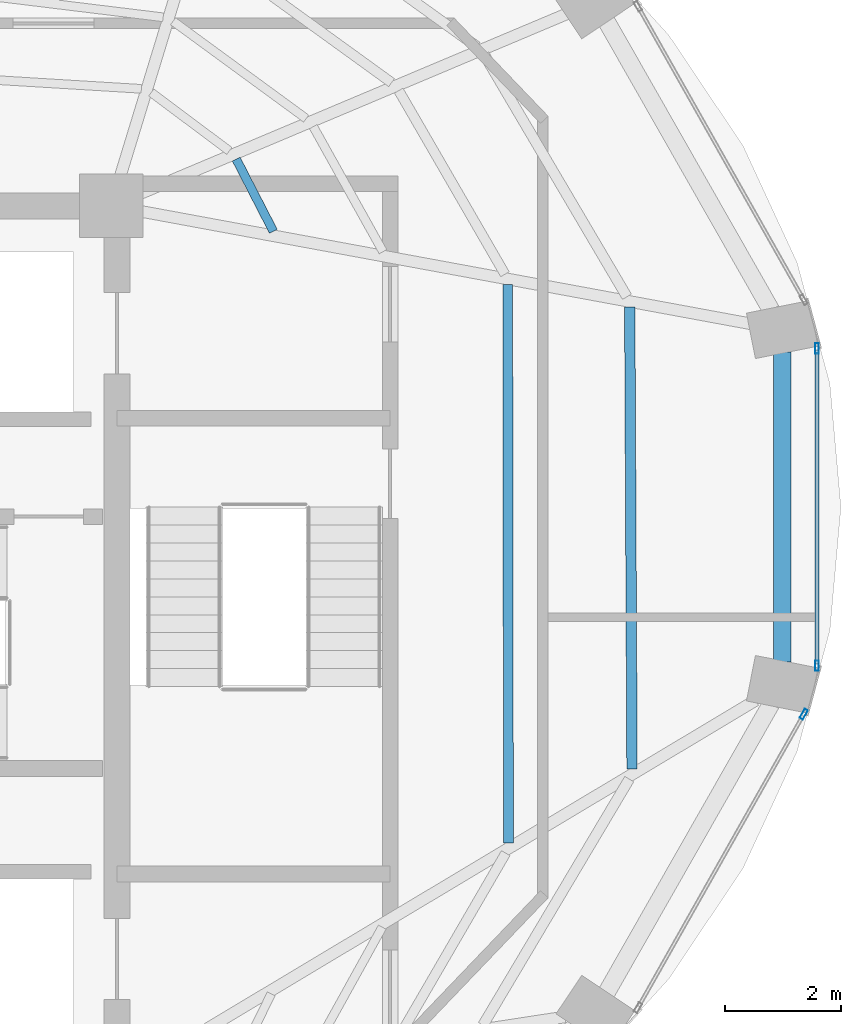
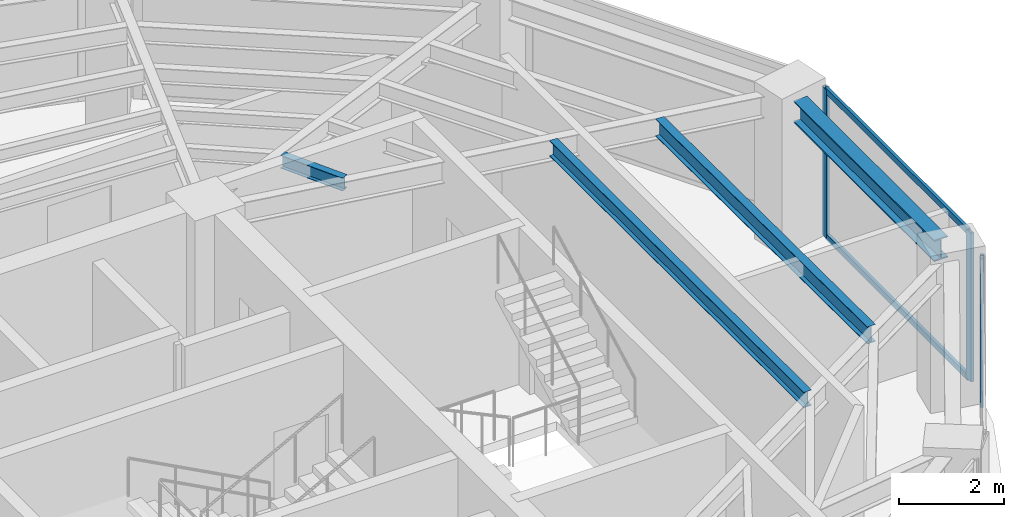
# One storey, part 14 of 22: 5 members, 4 beams, 2 elements without a shape of their own.
"""IFC4 building model written with IfcOpenShell, lengths in metres."""

from ifc_helpers import new_model, si_unit, direction, frame, origin, origin_2d, place, context, subcontext, project, spatial, hollow_rectangle, i_section, extrude, material, layer, layer_set, material_profile, profile_set, type_object, element, aggregate, save


model = new_model("IFC4")

# Units and contexts
model_context = context("Model", 3, precision=1e-05, world=origin(), true_north=direction((0.0, 1.0)))
body_context = subcontext(model_context, "Body", "Model", "MODEL_VIEW")
ifc_project = project(units=[si_unit("LENGTHUNIT", "METRE"), si_unit("AREAUNIT", "SQUARE_METRE"), si_unit("VOLUMEUNIT", "CUBIC_METRE"), si_unit("PLANEANGLEUNIT", "RADIAN"), si_unit("MASSUNIT", "GRAM", prefix="KILO")], contexts=[model_context])

# Site, building, storey
site_placement = place(None, origin())
site = spatial("IfcSite", under=ifc_project, at=site_placement, CompositionType="ELEMENT")
building_placement = place(site_placement, origin())
building = spatial("IfcBuilding", under=site, at=building_placement, Name="Lazwardi Medical Tower", CompositionType="ELEMENT")
storey_placement = place(building_placement, frame((0.0, 0.0, 258.672119140625)))
storey = spatial("IfcBuildingStorey", under=building, at=storey_placement, Name="L67", CompositionType="ELEMENT", Elevation=258.672119140625)

# Beams
ifc_material_1 = material(Name="Steel S355", Category="steel")
ifc_material_profile_1 = material_profile(ifc_material_1, i_section(OverallWidth=0.300048828125, OverallDepth=0.5, WebThickness=0.014404296875, FlangeThickness=0.028076171875, at=origin_2d()), Name="HEB 500")
ifc_profile_set_1 = profile_set([ifc_material_profile_1], Name="Steel S355")
beam_type_1 = type_object("IfcBeamType", Name="BM-RB-Z4", PredefinedType="BEAM", material=ifc_profile_set_1)
beam_1_placement = place(storey_placement, frame((57.18505859375, 27.72705078125, 3.197998046875), z_axis=(0.0, 1.0, 0.0), x_axis=(-1.0, 0.0, 0.0)))
element("IfcBeam", 1, at=beam_1_placement, inside=storey, type_object=beam_type_1, Name="Ring beam RB-05 B04 L67", PredefinedType="BEAM", context=body_context, shape_type="SweptSolid", body=[
    extrude(i_section(OverallWidth=0.300048828125, OverallDepth=0.5, WebThickness=0.014404296875, FlangeThickness=0.028076171875, at=origin_2d()), origin(), (0.0, 0.0, 1.0), 5.345947265625),
])
ifc_material_profile_2 = material_profile(ifc_material_1, i_section(OverallWidth=0.179931640625, OverallDepth=0.39990234375, WebThickness=0.008544921875, FlangeThickness=0.013427734375, at=origin_2d()), Name="IPE 400")
ifc_profile_set_2 = profile_set([ifc_material_profile_2], Name="Steel S355")
beam_type_2 = type_object("IfcBeamType", Name="BM-SJ-01", PredefinedType="JOIST", material=ifc_profile_set_2)
beam_2_placement = place(storey_placement, frame((54.592041015625, 25.879638671875, 3.247802734375), z_axis=(-0.004929366644, 0.999987850598, 0.0), x_axis=(-0.999987850598, -0.004929366644, 0.0)))
element("IfcBeam", 2, at=beam_2_placement, inside=storey, type_object=beam_type_2, Name="Secondary joist SJ-01 R1 B04 L67", PredefinedType="JOIST", context=body_context, shape_type="SweptSolid", body=[
    extrude(i_section(OverallWidth=0.179931640625, OverallDepth=0.39990234375, WebThickness=0.008544921875, FlangeThickness=0.013427734375, at=origin_2d()), origin(), (0.0, 0.0, 1.0), 7.973876953125),
])
ifc_material_profile_3 = material_profile(ifc_material_1, i_section(OverallWidth=0.169921875, OverallDepth=0.360107421875, WebThickness=0.008056640625, FlangeThickness=0.0126953125, at=origin_2d()), Name="IPE 360")
ifc_profile_set_3 = profile_set([ifc_material_profile_3], Name="Steel S355")
beam_type_3 = type_object("IfcBeamType", Name="BM-SJ-02", PredefinedType="JOIST", material=ifc_profile_set_3)
beam_3_placement = place(storey_placement, frame((52.458984375, 24.602294921875, 3.267822265625), z_axis=(-0.001367606673, 0.999999064826, 0.0), x_axis=(-0.999999064826, -0.001367606673, 0.0)))
element("IfcBeam", 3, at=beam_3_placement, inside=storey, type_object=beam_type_3, Name="Secondary joist SJ-02 R2 B04 L67", PredefinedType="JOIST", context=body_context, shape_type="SweptSolid", body=[
    extrude(i_section(OverallWidth=0.169921875, OverallDepth=0.360107421875, WebThickness=0.008056640625, FlangeThickness=0.0126953125, at=origin_2d()), origin(), (0.0, 0.0, 1.0), 9.639892578125),
])
ifc_material_profile_4 = material_profile(ifc_material_1, i_section(OverallWidth=0.14990234375, OverallDepth=0.300048828125, WebThickness=0.007080078125, FlangeThickness=0.0107421875, at=origin_2d()), Name="IPE 300")
ifc_profile_set_4 = profile_set([ifc_material_profile_4], Name="Steel S355")
beam_type_4 = type_object("IfcBeamType", Name="BM-SJ-03", PredefinedType="JOIST", material=ifc_profile_set_4)
beam_4_placement = place(storey_placement, frame((48.39990234375, 35.159912109375, 3.2978515625), z_axis=(-0.457285056668, 0.889320176848, 0.0), x_axis=(-0.889320176848, -0.457285056668, 0.0)))
element("IfcBeam", 4, at=beam_4_placement, inside=storey, type_object=beam_type_4, Name="Secondary joist SJ-03 R4 B05 L67", PredefinedType="JOIST", context=body_context, shape_type="SweptSolid", body=[
    extrude(i_section(OverallWidth=0.14990234375, OverallDepth=0.300048828125, WebThickness=0.007080078125, FlangeThickness=0.0107421875, at=origin_2d()), origin(), (0.0, 0.0, 1.0), 1.402099609375),
])

# Curtain wall, member
ifc_material_2 = material(Name="Anodised bronze aluminium and solar control glazing", Category="aluminium")
ifc_layer = layer(ifc_material_2, 0.18994140625)
ifc_layer_set = layer_set([ifc_layer], Name="Anodised bronze aluminium and solar control glazing")
curtain_wall_type = type_object("IfcCurtainWallType", Name="CW-SYS-04", PredefinedType="NOTDEFINED", material=ifc_layer_set)
curtain_wall_1_placement = place(storey_placement, origin())
curtain_wall_1 = element("IfcCurtainWall", 5, at=curtain_wall_1_placement, inside=storey, type_object=curtain_wall_type, Name="L67 Unitised bronze curtain wall CW-04", PredefinedType="NOTDEFINED")
ifc_material_3 = material(Name="Anodised bronze aluminium", Category="aluminium")
ifc_material_profile_5 = material_profile(ifc_material_3, hollow_rectangle(XDim=0.06494140625, YDim=0.179931640625, WallThickness=0.00390625, at=origin_2d()), Name="ALU-MULLION 180x65x4")
ifc_profile_set_5 = profile_set([ifc_material_profile_5], Name="Anodised bronze aluminium")
member_type_1 = type_object("IfcMemberType", Name="CW-MUL-03", PredefinedType="MULLION", material=ifc_profile_set_5)
member_1_placement = place(storey_placement, frame((57.557373046875, 26.82177734375, 0.0), z_axis=(0.0, 0.0, 1.0), x_axis=(-0.870651436011, 0.491900474661, 0.0)))
member_1 = element("IfcMember", 6, at=member_1_placement, type_object=member_type_1, Name="CW-04 mullion 2", PredefinedType="MULLION", context=body_context, shape_type="SweptSolid", body=[
    extrude(hollow_rectangle(XDim=0.06494140625, YDim=0.179931640625, WallThickness=0.00390625, at=origin_2d()), origin(), (0.0, 0.0, 1.0), 3.447998046875),
])
aggregate(curtain_wall_1, [member_1])

# Curtain wall, members
curtain_wall_2_placement = place(storey_placement, origin())
curtain_wall_2 = element("IfcCurtainWall", 7, at=curtain_wall_2_placement, inside=storey, type_object=curtain_wall_type, Name="L67 Unitised bronze curtain wall CW-04", PredefinedType="NOTDEFINED")
member_2_placement = place(storey_placement, frame((57.7841796875, 27.659423828125, 0.0), z_axis=(0.0, 0.0, 1.0), x_axis=(-1.0, 0.0, 0.0)))
member_2 = element("IfcMember", 8, at=member_2_placement, type_object=member_type_1, Name="CW-04 mullion 1", PredefinedType="MULLION", context=body_context, shape_type="SweptSolid", body=[
    extrude(hollow_rectangle(XDim=0.06494140625, YDim=0.179931640625, WallThickness=0.00390625, at=origin_2d()), origin(), (0.0, 0.0, 1.0), 3.447998046875),
])
member_3_placement = place(storey_placement, frame((57.7841796875, 33.140380859375, 0.0), z_axis=(0.0, 0.0, 1.0), x_axis=(-1.0, 0.0, 0.0)))
member_3 = element("IfcMember", 9, at=member_3_placement, type_object=member_type_1, Name="CW-04 mullion 2", PredefinedType="MULLION", context=body_context, shape_type="SweptSolid", body=[
    extrude(hollow_rectangle(XDim=0.06494140625, YDim=0.179931640625, WallThickness=0.00390625, at=origin_2d()), origin(), (0.0, 0.0, 1.0), 3.447998046875),
])
ifc_material_profile_6 = material_profile(ifc_material_3, hollow_rectangle(XDim=0.06494140625, YDim=0.139892578125, WallThickness=0.00341796875, at=origin_2d()), Name="ALU-TRANSOM 140x65x3.5")
ifc_profile_set_6 = profile_set([ifc_material_profile_6], Name="Anodised bronze aluminium")
member_type_2 = type_object("IfcMemberType", Name="CW-TRN-03", PredefinedType="USERDEFINED", material=ifc_profile_set_6)
member_4_placement = place(storey_placement, frame((57.7841796875, 27.69189453125, 0.032470703125), z_axis=(0.0, 1.0, 0.0), x_axis=(-1.0, 0.0, 0.0)))
member_4 = element("IfcMember", 10, at=member_4_placement, type_object=member_type_2, Name="CW-04 transom 1.1", ObjectType="TRANSOM", PredefinedType="USERDEFINED", context=body_context, shape_type="SweptSolid", body=[
    extrude(hollow_rectangle(XDim=0.06494140625, YDim=0.139892578125, WallThickness=0.00341796875, at=origin_2d()), origin(), (0.0, 0.0, 1.0), 5.416015625),
])
member_5_placement = place(storey_placement, frame((57.7841796875, 27.69189453125, 3.415283203125), z_axis=(0.0, 1.0, 0.0), x_axis=(-1.0, 0.0, 0.0)))
member_5 = element("IfcMember", 11, at=member_5_placement, type_object=member_type_2, Name="CW-04 transom 1.2", ObjectType="TRANSOM", PredefinedType="USERDEFINED", context=body_context, shape_type="SweptSolid", body=[
    extrude(hollow_rectangle(XDim=0.06494140625, YDim=0.139892578125, WallThickness=0.00341796875, at=origin_2d()), origin(), (0.0, 0.0, 1.0), 5.416015625),
])
aggregate(curtain_wall_2, [member_2, member_3, member_4, member_5])

save(model, "model.ifc")
